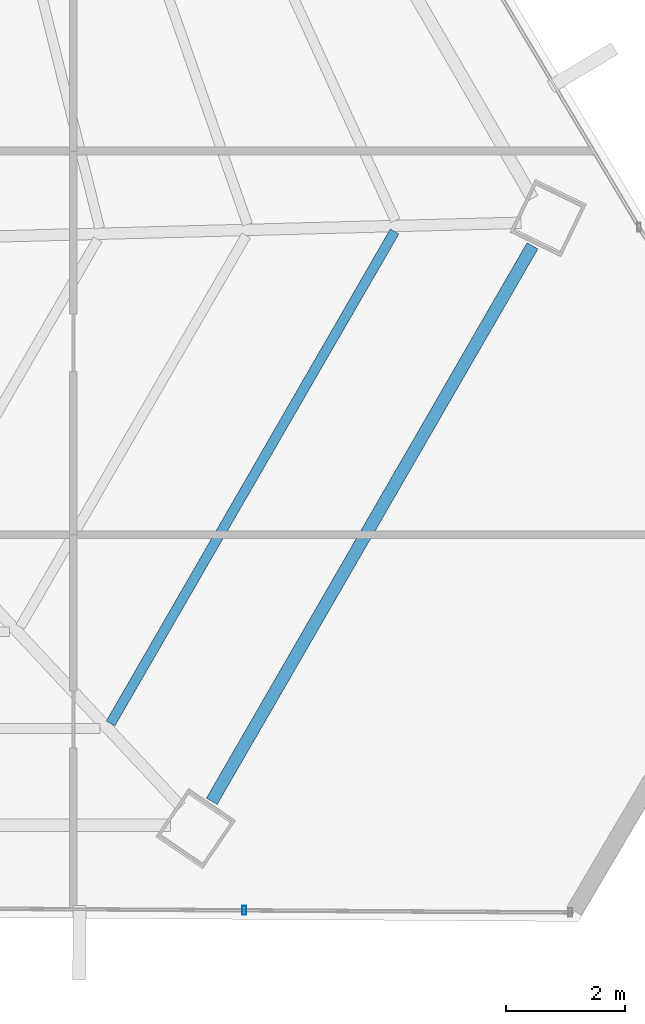
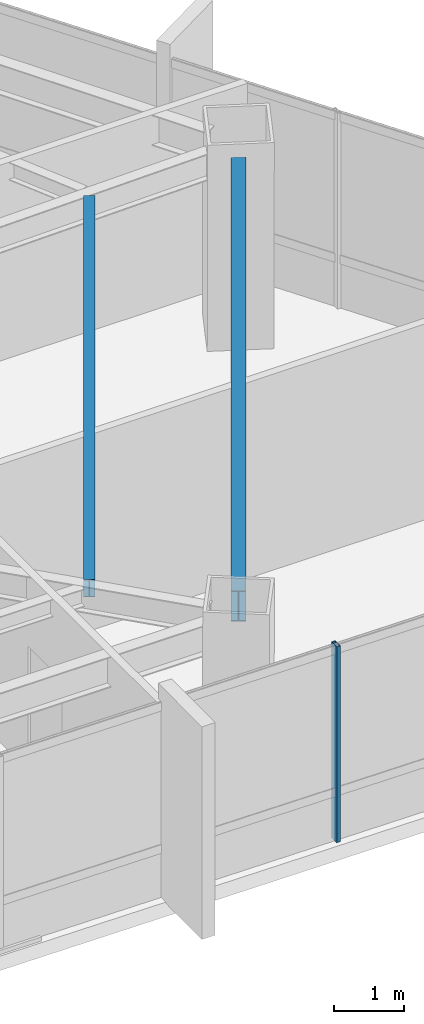
# One storey, part 19 of 41: 2 beams, 1 member, 1 element without a shape of its own.
"""IFC4 building model written with IfcOpenShell, lengths in metres."""

import ifcopenshell
import ifcopenshell.guid

model = None  # the IFC model being written
_history = None  # IfcOwnerHistory: only IFC2X3 demands one
_inside = {}  # id of a spatial element -> (the spatial element, [elements in it])
_under = {}  # id of a project, library or spatial element -> (it, [spatial elements below it])
_declared = {}  # id of a project -> (the project, [libraries it declares])
_typed = {}  # id of a type object -> (the type object, [elements of that type])
_made_of = {}  # id of a material, layer set ... -> (it, [elements and type objects made of it])


def new_model(schema):
    """Start an empty IFC model of exactly this schema.

    Asked for "IFC4X3", IfcOpenShell would pick the latest addendum, in which some entities
    have other attributes; the version numbers below select the first issue.
    IFC2X3 requires an IfcOwnerHistory on every rooted entity: one is made here for all.
    """
    global model, _history
    if schema == "IFC4X3":
        model = ifcopenshell.file(schema_version=(4, 3, 0, 0))
    else:
        model = ifcopenshell.file(schema=schema)
    _inside.clear()
    _under.clear()
    _declared.clear()
    _typed.clear()
    _made_of.clear()
    _history = None
    if model.schema == "IFC2X3":
        org = make("IfcOrganization", Name="unknown")
        user = make(
            "IfcPersonAndOrganization",
            ThePerson=make("IfcPerson", FamilyName="unknown"),
            TheOrganization=org,
        )
        app = make(
            "IfcApplication",
            ApplicationDeveloper=org,
            Version="unknown",
            ApplicationFullName="unknown",
            ApplicationIdentifier="unknown",
        )
        _history = make(
            "IfcOwnerHistory",
            OwningUser=user,
            OwningApplication=app,
            ChangeAction="ADDED",
            CreationDate=0,
        )
    return model


def make(cls, **values):
    """One entity of the class cls with the attributes given. An attribute that is None is left unset."""
    return model.create_entity(
        cls, **{name: value for name, value in values.items() if value is not None}
    )


def rooted(cls, **values):
    """An entity with a GlobalId (a new one), such as an element, a storey or a relation."""
    return make(cls, GlobalId=ifcopenshell.guid.new(), OwnerHistory=_history, **values)


def si_unit(unit_type, name, prefix=None):
    """IfcSIUnit, for example si_unit("LENGTHUNIT", "METRE", prefix="MILLI")."""
    return make("IfcSIUnit", UnitType=unit_type, Prefix=prefix, Name=name)


def assignment(units):
    """IfcUnitAssignment: the units of a project."""
    return None if units is None else make("IfcUnitAssignment", Units=units)


def point(xyz):
    """IfcCartesianPoint."""
    return None if xyz is None else make("IfcCartesianPoint", Coordinates=xyz)


def direction(xyz):
    """IfcDirection."""
    return None if xyz is None else make("IfcDirection", DirectionRatios=xyz)


def frame(location, z_axis=None, x_axis=None):
    """IfcAxis2Placement3D, a coordinate frame: its origin and axes. An axis left out is left unset."""
    return make(
        "IfcAxis2Placement3D",
        Location=point(location),
        Axis=direction(z_axis),
        RefDirection=direction(x_axis),
    )


def frame_2d(location, x_axis=None):
    """IfcAxis2Placement2D, a coordinate frame in the plane: its origin and x axis."""
    return make(
        "IfcAxis2Placement2D", Location=point(location), RefDirection=direction(x_axis)
    )


def origin():
    """The frame at (0, 0, 0) with its axes left unset."""
    return frame((0.0, 0.0, 0.0))


def origin_2d():
    """The frame at (0, 0) in the plane with its x axis left unset."""
    return frame_2d((0.0, 0.0))


def place(relative_to, where):
    """IfcLocalPlacement: puts the frame where relative to a parent placement (None: the world)."""
    return make(
        "IfcLocalPlacement", PlacementRelTo=relative_to, RelativePlacement=where
    )


def context(
    kind, dimensions, precision=None, world=None, true_north=None, identifier=None
):
    """IfcGeometricRepresentationContext, for example the 3D "Model" context."""
    return make(
        "IfcGeometricRepresentationContext",
        ContextIdentifier=identifier,
        ContextType=kind,
        CoordinateSpaceDimension=dimensions,
        Precision=precision,
        WorldCoordinateSystem=world,
        TrueNorth=true_north,
    )


def subcontext(parent, identifier, kind, view, scale=None):
    """IfcGeometricRepresentationSubContext, for example "Body" below "Model"."""
    return make(
        "IfcGeometricRepresentationSubContext",
        ContextIdentifier=identifier,
        ContextType=kind,
        ParentContext=parent,
        TargetScale=scale,
        TargetView=view,
    )


def project(units=None, contexts=None):
    """IfcProject with its units and contexts."""
    return rooted(
        "IfcProject",
        Name="project",
        RepresentationContexts=contexts,
        UnitsInContext=assignment(units),
    )


def spatial(cls, under=None, at=None, **own):
    """A site, building, storey or space (cls), placed at a placement, below another one or the project."""
    s = rooted(cls, ObjectPlacement=at, **own)
    if under is not None:
        _under.setdefault(under.id(), (under, []))[1].append(s)
    return s


def profile(cls, at=None, kind="AREA", **sizes):
    """A parametric profile (cls). Its sizes go by their IFC names, for example OverallWidth=200.0."""
    return make(cls, ProfileType=kind, Position=at, **sizes)


def hollow_rectangle(**sizes):
    """IfcRectangleHollowProfileDef."""
    return profile("IfcRectangleHollowProfileDef", **sizes)


def i_section(**sizes):
    """IfcIShapeProfileDef."""
    return profile("IfcIShapeProfileDef", **sizes)


def extrude(swept, where, along, depth):
    """IfcExtrudedAreaSolid: the profile swept, set in the frame where, extruded along a direction by depth."""
    return make(
        "IfcExtrudedAreaSolid",
        SweptArea=swept,
        Position=where,
        ExtrudedDirection=direction(along),
        Depth=depth,
    )


def shape(context_of_items, identifier, shape_type, items):
    """IfcShapeRepresentation: the items that make up one representation, for example the "Body"."""
    return make(
        "IfcShapeRepresentation",
        ContextOfItems=context_of_items,
        RepresentationIdentifier=identifier,
        RepresentationType=shape_type,
        Items=items,
    )


def source(mapping_origin, context_of_items, identifier, shape_type, items):
    """IfcRepresentationMap: a shape defined once, which mapped items show again and again."""
    return make(
        "IfcRepresentationMap",
        MappingOrigin=mapping_origin,
        MappedRepresentation=shape(context_of_items, identifier, shape_type, items),
    )


def transform(
    local_origin,
    x_axis=None,
    y_axis=None,
    z_axis=None,
    scale=None,
    scale2=None,
    scale3=None,
    uniform=True,
):
    """IfcCartesianTransformationOperator3D, or its non-uniform kind. x_axis, y_axis, z_axis: its Axis1, 2, 3."""
    if uniform:
        return make(
            "IfcCartesianTransformationOperator3D",
            Axis1=direction(x_axis),
            Axis2=direction(y_axis),
            LocalOrigin=point(local_origin),
            Scale=scale,
            Axis3=direction(z_axis),
        )
    return make(
        "IfcCartesianTransformationOperator3DnonUniform",
        Axis1=direction(x_axis),
        Axis2=direction(y_axis),
        LocalOrigin=point(local_origin),
        Scale=scale,
        Axis3=direction(z_axis),
        Scale2=scale2,
        Scale3=scale3,
    )


def mapped(mapping_source, mapping_target):
    """IfcMappedItem: shows the shape of a source again, moved by a transform."""
    return make(
        "IfcMappedItem", MappingSource=mapping_source, MappingTarget=mapping_target
    )


def material(Name=None, Category=None):
    """IfcMaterial."""
    return make("IfcMaterial", Name=Name, Category=Category)


def material_profile(
    of_material, cross_section, Name=None, Category=None, Priority=None
):
    """IfcMaterialProfile: a cross section and its material."""
    return make(
        "IfcMaterialProfile",
        Name=Name,
        Material=of_material,
        Profile=cross_section,
        Priority=Priority,
        Category=Category,
    )


def profile_set(profiles, Name=None, composite=None):
    """IfcMaterialProfileSet."""
    return make(
        "IfcMaterialProfileSet",
        Name=Name,
        MaterialProfiles=profiles,
        CompositeProfile=composite,
    )


def made_of(thing, what):
    """Note that an element or type object is made of a material, layer set ...; save() writes the relation."""
    if what is not None:
        _made_of.setdefault(what.id(), (what, []))[1].append(thing)
    return thing


def type_object(cls, material=None, **own):
    """A type object (cls), such as IfcWallType, which elements share."""
    return made_of(rooted(cls, **own), material)


def type_shapes(of_type, sources):
    """Give a type object the sources (RepresentationMaps) that its elements show as mapped items."""
    of_type.RepresentationMaps = sources


def element(
    cls,
    number,
    at=None,
    inside=None,
    cuts=None,
    type_object=None,
    material=None,
    context=None,
    identifier="Body",
    shape_type=None,
    held_by="IfcProductDefinitionShape",
    body=None,
    shapes=None,
    **own,
):
    """One element of the class cls, such as IfcWall. Its Tag is "e" and its number.

    at: its placement. inside: the storey or other place that contains it. cuts: it is an
    opening in that element (IfcRelVoidsElement). A single representation is given by context,
    identifier, shape_type and body (its items); several are given by shapes. held_by: the class
    of the entity that holds the representations. save() writes the other relations.
    """
    e = rooted(cls, Tag="e%d" % number, ObjectPlacement=at, **own)
    if body is not None:
        shapes = [shape(context, identifier, shape_type, body)]
    if shapes is not None:
        e.Representation = make(held_by, Representations=shapes)
    if inside is not None:
        _inside.setdefault(inside.id(), (inside, []))[1].append(e)
    if cuts is not None:
        rooted(
            "IfcRelVoidsElement", RelatingBuildingElement=cuts, RelatedOpeningElement=e
        )
    if type_object is not None:
        _typed.setdefault(type_object.id(), (type_object, []))[1].append(e)
    return made_of(e, material)


def aggregate(whole, parts):
    """IfcRelAggregates: a whole, such as a stair, and the parts it consists of."""
    return rooted("IfcRelAggregates", RelatingObject=whole, RelatedObjects=parts)


def save(model, path):
    """Write the relations noted so far, then the file.

    IfcRelAggregates (storeys below a building ...), IfcRelContainedInSpatialStructure (elements
    in a storey), IfcRelDefinesByType, IfcRelAssociatesMaterial and IfcRelDeclares: one each for
    every whole, place, type object, material and project.
    """
    for whole, parts in _under.values():
        aggregate(whole, parts)
    for where, things in _inside.values():
        rooted(
            "IfcRelContainedInSpatialStructure",
            RelatedElements=things,
            RelatingStructure=where,
        )
    for kind, things in _typed.values():
        rooted("IfcRelDefinesByType", RelatedObjects=things, RelatingType=kind)
    for what, things in _made_of.values():
        rooted("IfcRelAssociatesMaterial", RelatedObjects=things, RelatingMaterial=what)
    for by, libraries in _declared.values():
        rooted("IfcRelDeclares", RelatingContext=by, RelatedDefinitions=libraries)
    model.write(path)


model = new_model("IFC4")

# Units and contexts
model_context = context("Model", 3, precision=1e-05, world=origin(), true_north=direction((0.0, 1.0)))
body_context = subcontext(model_context, "Body", "Model", "MODEL_VIEW")
ifc_project = project(units=[si_unit("LENGTHUNIT", "METRE"), si_unit("AREAUNIT", "SQUARE_METRE"), si_unit("VOLUMEUNIT", "CUBIC_METRE"), si_unit("PLANEANGLEUNIT", "RADIAN"), si_unit("MASSUNIT", "GRAM", prefix="KILO")], contexts=[model_context])

# Site, building, storey
site_placement = place(None, origin())
site = spatial("IfcSite", under=ifc_project, at=site_placement, CompositionType="ELEMENT")
building_placement = place(site_placement, origin())
building = spatial("IfcBuilding", under=site, at=building_placement, Name="Caelisora Broadcast Tower", CompositionType="ELEMENT")
storey_placement = place(building_placement, frame((0.0, 0.0, 169.449951171875)))
storey = spatial("IfcBuildingStorey", under=building, at=storey_placement, Name="L44", CompositionType="ELEMENT", Elevation=169.449951171875)

# Beams
ifc_material_1 = material(Name="Steel Grade 350 (AS/NZS 3679.1)", Category="steel")
ifc_material_profile_1 = material_profile(ifc_material_1, i_section(OverallWidth=0.208984375, OverallDepth=0.532958984375, WebThickness=0.01025390625, FlangeThickness=0.015625, at=origin_2d()), Name="Steel Grade 350 (AS/NZS 3679.1)")
ifc_profile_set_1 = profile_set([ifc_material_profile_1], Name="Steel Grade 350 (AS/NZS 3679.1)")
beam_type_1 = type_object("IfcBeamType", Name="PG05", PredefinedType="BEAM", material=ifc_profile_set_1)
shared_shape_1 = source(origin(), body_context, "Body", "SweptSolid", [
    extrude(i_section(OverallWidth=0.208984375, OverallDepth=0.532958984375, WebThickness=0.01025390625, FlangeThickness=0.015625, at=origin_2d()), origin(), (0.0, 0.0, 1.0), 10.751708984375),
])
type_shapes(beam_type_1, [shared_shape_1])
beam_1_placement = place(storey_placement, frame((54.822021484375, 8.080322265625, 3.133544921875), z_axis=(0.499990430293, 0.866030928787, 0.0), x_axis=(-0.866030928787, 0.499990430293, 0.0)))
element("IfcBeam", 1, at=beam_1_placement, inside=storey, type_object=beam_type_1, Name="L44 beam PG05", PredefinedType="BEAM", context=body_context, shape_type="MappedRepresentation", body=[
    mapped(shared_shape_1, transform((0.0, 0.0, 0.0), scale=1.0)),
])
ifc_material_profile_2 = material_profile(ifc_material_1, i_section(OverallWidth=0.166015625, OverallDepth=0.30712890625, WebThickness=0.006591796875, FlangeThickness=0.01171875, at=origin_2d()), Name="Steel Grade 350 (AS/NZS 3679.1)")
ifc_profile_set_2 = profile_set([ifc_material_profile_2], Name="Steel Grade 350 (AS/NZS 3679.1)")
beam_type_2 = type_object("IfcBeamType", Name="SB03", PredefinedType="JOIST", material=ifc_profile_set_2)
shared_shape_2 = source(origin(), body_context, "Body", "SweptSolid", [
    extrude(i_section(OverallWidth=0.166015625, OverallDepth=0.30712890625, WebThickness=0.006591796875, FlangeThickness=0.01171875, at=origin_2d()), origin(), (0.0, 0.0, 1.0), 9.5205078125),
])
type_shapes(beam_type_2, [shared_shape_2])
beam_2_placement = place(storey_placement, frame((53.125, 9.385498046875, 3.246337890625), z_axis=(0.499994743909, 0.866028438368, 0.0), x_axis=(-0.866028438368, 0.499994743909, 0.0)))
element("IfcBeam", 2, at=beam_2_placement, inside=storey, type_object=beam_type_2, Name="L44 beam SB03", PredefinedType="JOIST", context=body_context, shape_type="MappedRepresentation", body=[
    mapped(shared_shape_2, transform((0.0, 0.0, 0.0), scale=1.0)),
])

# Curtain wall, member
ifc_material_2 = material(Name="Unitised Aluminium and Low-E Glass Curtain Wall", Category="glass")
curtain_wall_type = type_object("IfcCurtainWallType", Name="CW-Z3", PredefinedType="NOTDEFINED", material=ifc_material_2)
curtain_wall_placement = place(storey_placement, origin())
curtain_wall = element("IfcCurtainWall", 3, at=curtain_wall_placement, inside=storey, type_object=curtain_wall_type, Name="L44 curtain wall CW-Z3", PredefinedType="NOTDEFINED")
ifc_material_3 = material(Name="Aluminium 6063-T6 Anodised Terracotta Bronze", Category="aluminium")
ifc_material_profile_3 = material_profile(ifc_material_3, hollow_rectangle(XDim=0.06005859375, YDim=0.14990234375, WallThickness=0.00341796875, at=origin_2d()), Name="Aluminium 6063-T6 Anodised Terracotta Bronze")
ifc_profile_set_3 = profile_set([ifc_material_profile_3], Name="Aluminium 6063-T6 Anodised Terracotta Bronze")
member_type = type_object("IfcMemberType", Name="CWM-03", PredefinedType="MULLION", material=ifc_profile_set_3)
shared_shape_3 = source(origin(), body_context, "Body", "SweptSolid", [
    extrude(hollow_rectangle(XDim=0.06005859375, YDim=0.14990234375, WallThickness=0.00341796875, at=origin_2d()), origin(), (0.0, 0.0, 1.0), 3.400146484375),
])
type_shapes(member_type, [shared_shape_3])
member_placement = place(storey_placement, frame((55.365966796875, 6.251220703125, 0.0), z_axis=(0.0, 0.0, 1.0), x_axis=(1.0, 0.0, 0.0)))
member = element("IfcMember", 4, at=member_placement, type_object=member_type, Name="L44-CW-B05 mullion #1", PredefinedType="MULLION", context=body_context, shape_type="MappedRepresentation", body=[
    mapped(shared_shape_3, transform((0.0, 0.0, 0.0), scale=1.0)),
])
aggregate(curtain_wall, [member])

save(model, "model.ifc")
